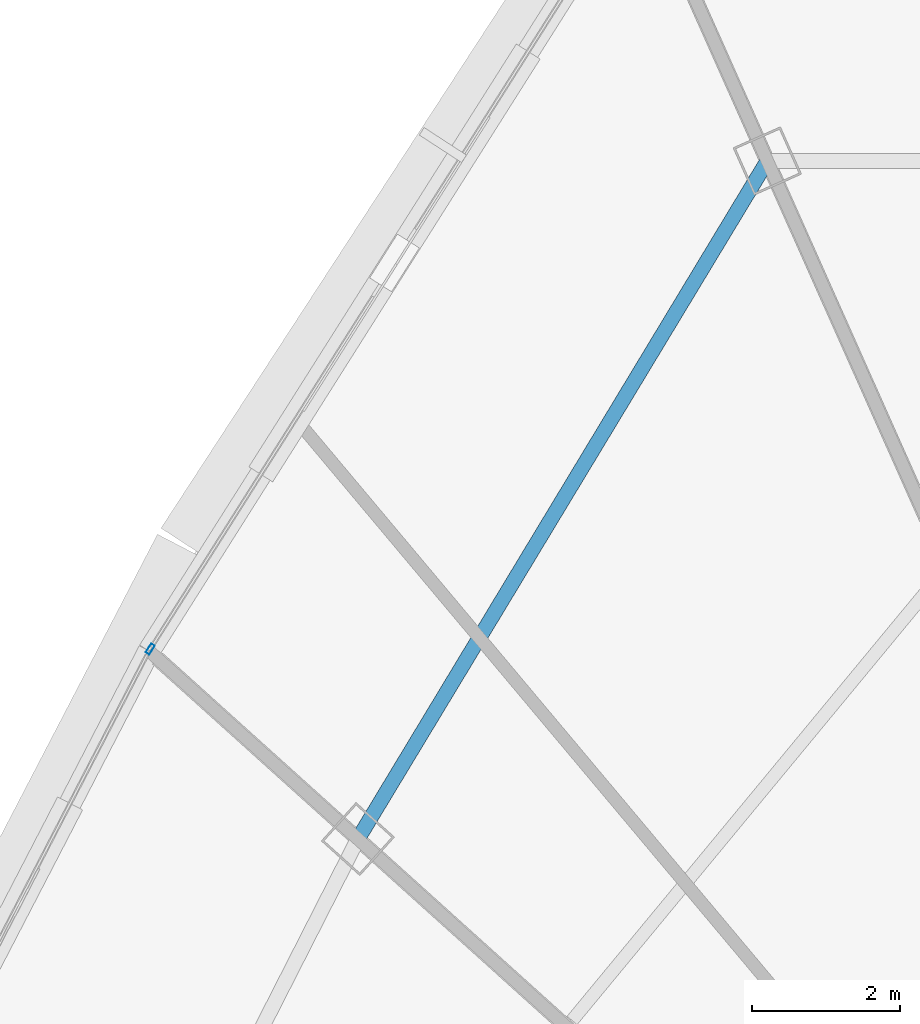
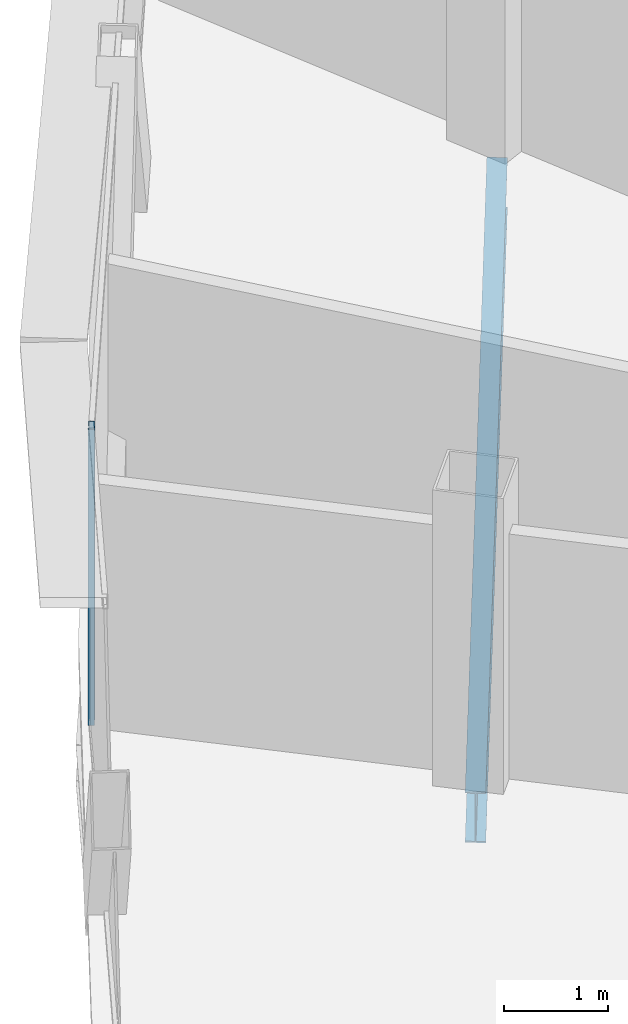
# One storey, part 10 of 33: 1 beam, 1 member, 1 element without a shape of its own.
"""IFC4 building model written with IfcOpenShell, lengths in metres."""

from ifc_helpers import new_model, si_unit, direction, frame, origin, origin_2d, place, context, subcontext, project, spatial, hollow_rectangle, i_section, extrude, source, transform, mapped, material, layer, layer_set, material_profile, profile_set, type_object, element, aggregate, save


model = new_model("IFC4")

# Units and contexts
model_context = context("Model", 3, precision=1e-05, world=origin(), true_north=direction((0.0, 1.0)))
body_context = subcontext(model_context, "Body", "Model", "MODEL_VIEW")
ifc_project = project(units=[si_unit("LENGTHUNIT", "METRE"), si_unit("AREAUNIT", "SQUARE_METRE"), si_unit("VOLUMEUNIT", "CUBIC_METRE"), si_unit("PLANEANGLEUNIT", "RADIAN"), si_unit("MASSUNIT", "GRAM", prefix="KILO"), si_unit("THERMODYNAMICTEMPERATUREUNIT", "KELVIN"), si_unit("POWERUNIT", "WATT")], contexts=[model_context])

# Site, building, storey
site_placement = place(None, origin())
site = spatial("IfcSite", under=ifc_project, at=site_placement, CompositionType="ELEMENT")
building_placement = place(site_placement, origin())
building = spatial("IfcBuilding", under=site, at=building_placement, Name="Yunzhuo Pagoda Commons", CompositionType="ELEMENT")
storey_placement = place(building_placement, frame((0.0, 0.0, 325.510009765625)))
storey = spatial("IfcBuildingStorey", under=building, at=storey_placement, Name="L81", CompositionType="ELEMENT", Elevation=325.510009765625)

# Beam
ifc_material_1 = material(Name="Structural steel Q355B", Category="steel")
ifc_material_profile_1 = material_profile(ifc_material_1, i_section(OverallWidth=0.199951171875, OverallDepth=0.60009765625, WebThickness=0.010986328125, FlangeThickness=0.01708984375, at=origin_2d()), Name="Structural steel Q355B")
ifc_profile_set_1 = profile_set([ifc_material_profile_1], Name="Structural steel Q355B")
beam_type = type_object("IfcBeamType", Name="B-RG3 Beam HN 600x200x11x17", PredefinedType="BEAM", material=ifc_profile_set_1)
shared_shape_1 = source(origin(), body_context, "Body", "SweptSolid", [
    extrude(i_section(OverallWidth=0.199951171875, OverallDepth=0.60009765625, WebThickness=0.010986328125, FlangeThickness=0.01708984375, at=origin_2d()), origin(), (0.0, 0.0, 1.0), 10.691162109375),
])
beam_placement = place(storey_placement, frame((37.501220703125, 57.281005859375, -0.56005859375), z_axis=(-0.516864678433, -0.856067114301, 0.0), x_axis=(0.856067114301, -0.516864678433, 0.0)))
element("IfcBeam", 1, at=beam_placement, inside=storey, type_object=beam_type, Name="L81 column-ring beam 9", PredefinedType="BEAM", context=body_context, shape_type="MappedRepresentation", body=[
    mapped(shared_shape_1, transform((0.0, 0.0, 0.0), scale=1.0)),
])

# Curtain wall, member
ifc_material_2 = material(Name="Anodized aluminium 6063-T6", Category="aluminium")
ifc_layer = layer(ifc_material_2, 0.139892578125)
ifc_layer_set = layer_set([ifc_layer], Name="Anodized aluminium 6063-T6")
curtain_wall_type = type_object("IfcCurtainWallType", Name="CW-HI High-Zone Ribbon Curtain Wall", PredefinedType="NOTDEFINED", material=ifc_layer_set)
curtain_wall_placement = place(storey_placement, origin())
curtain_wall = element("IfcCurtainWall", 2, at=curtain_wall_placement, inside=storey, type_object=curtain_wall_type, Name="L81 curtain wall CW-L81-F3B2", PredefinedType="NOTDEFINED")
ifc_material_profile_2 = material_profile(ifc_material_2, hollow_rectangle(XDim=0.06005859375, YDim=0.139892578125, WallThickness=0.00341796875, at=origin_2d()), Name="Anodized aluminium 6063-T6")
ifc_profile_set_2 = profile_set([ifc_material_profile_2], Name="Anodized aluminium 6063-T6")
member_type = type_object("IfcMemberType", Name="CW-HI-M Mullion RHS 140x60x3.5", PredefinedType="MULLION", material=ifc_profile_set_2)
shared_shape_2 = source(origin(), body_context, "Body", "SweptSolid", [
    extrude(hollow_rectangle(XDim=0.06005859375, YDim=0.139892578125, WallThickness=0.00341796875, at=origin_2d()), origin(), (0.0, 0.0, 1.0), 3.489990234375),
])
member_placement = place(storey_placement, frame((29.17236328125, 50.6923828125, 0.0), z_axis=(0.0, 0.0, 1.0), x_axis=(0.845148830397, -0.534531060349, 0.0)))
member = element("IfcMember", 3, at=member_placement, type_object=member_type, Name="CW mullion 2", PredefinedType="MULLION", context=body_context, shape_type="MappedRepresentation", body=[
    mapped(shared_shape_2, transform((0.0, 0.0, 0.0), scale=1.0)),
])
aggregate(curtain_wall, [member])

save(model, "model.ifc")
